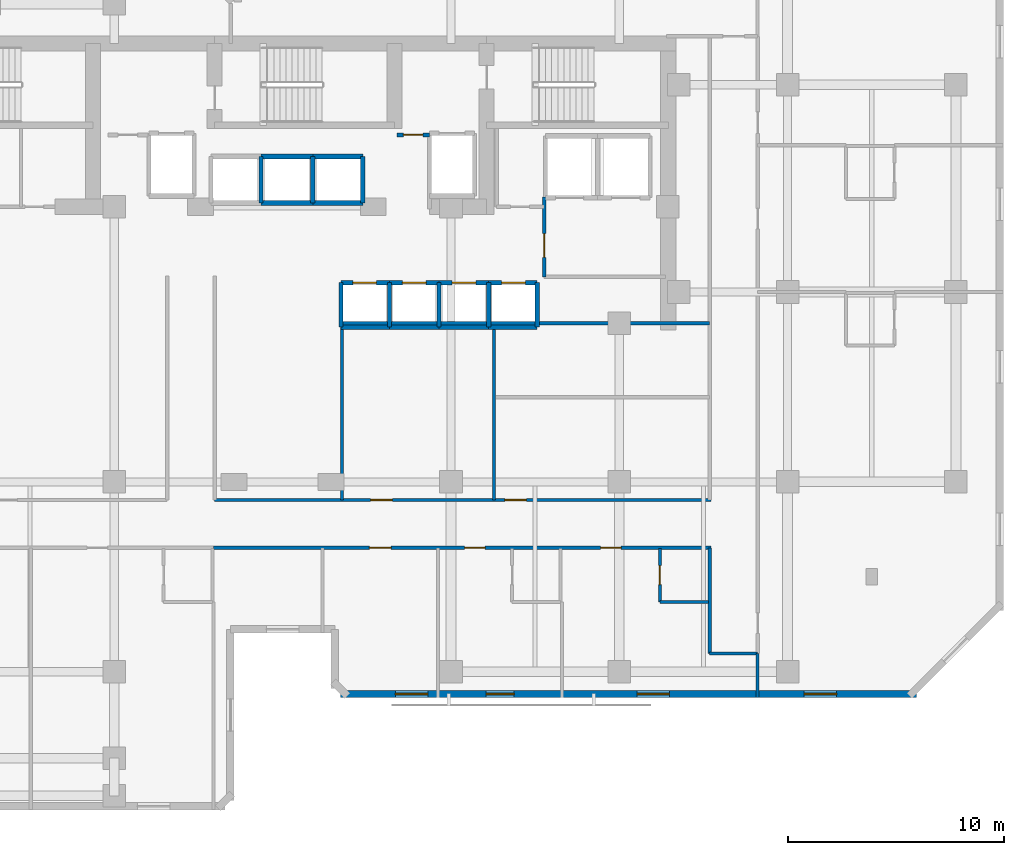
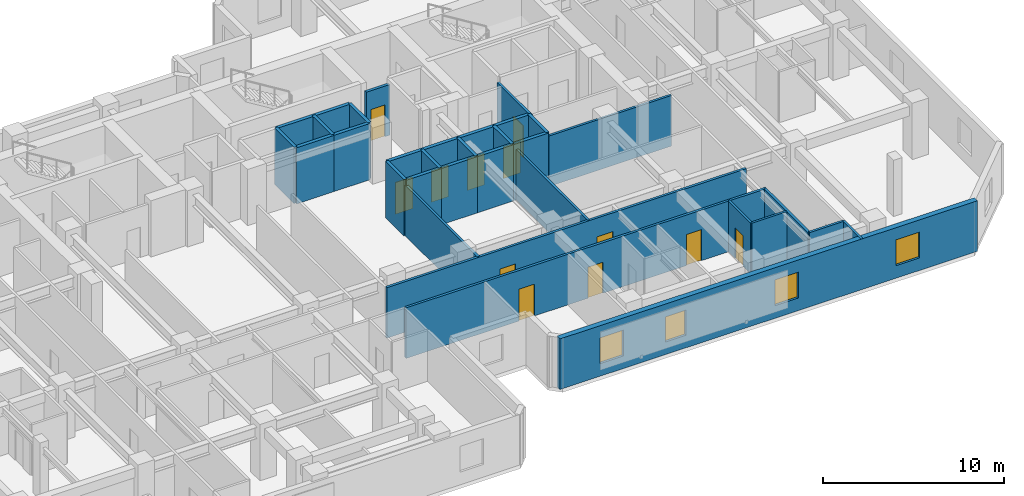
# One storey, part 6 of 11: 33 walls, 12 doors, 4 windows, 16 openings.
"""IFC4 building model written with IfcOpenShell, lengths in metres."""

from ifc_helpers import new_model, si_unit, direction, frame, frame_2d, origin, place, context, subcontext, project, spatial, rectangle, extrude, material, layer, layer_set, type_object, element, fill, save


model = new_model("IFC4")

# Units and contexts
model_context = context("Model", 3, precision=1e-05, world=origin(), true_north=direction((0.0, 1.0)))
body_context = subcontext(model_context, "Body", "Model", "MODEL_VIEW")
ifc_project = project(units=[si_unit("LENGTHUNIT", "METRE"), si_unit("AREAUNIT", "SQUARE_METRE"), si_unit("VOLUMEUNIT", "CUBIC_METRE"), si_unit("PLANEANGLEUNIT", "RADIAN"), si_unit("MASSUNIT", "GRAM", prefix="KILO")], contexts=[model_context])

# Site, building, storey
site_placement = place(None, origin())
site = spatial("IfcSite", under=ifc_project, at=site_placement, CompositionType="ELEMENT")
building_placement = place(site_placement, origin())
building = spatial("IfcBuilding", under=site, at=building_placement, Name="Kestravale Grand Hotel", CompositionType="ELEMENT")
storey_placement = place(building_placement, frame((0.0, 0.0, 180.199951171875)))
storey = spatial("IfcBuildingStorey", under=building, at=storey_placement, Name="L45", CompositionType="ELEMENT", Elevation=180.199951171875)

# Wall, openings, windows
ifc_material_1 = material(Name="Precast concrete f'c 45 MPa", Category="concrete")
ifc_layer_1 = layer(ifc_material_1, 0.340087890625)
ifc_layer_set_1 = layer_set([ifc_layer_1], Name="EW-PREC-340")
wall_type_1 = type_object("IfcWallType", Name="EW-PREC-340", PredefinedType="SOLIDWALL", material=ifc_layer_set_1)
wall_1_placement = place(storey_placement, frame((41.679931640625, 10.169921875, 0.0), z_axis=(0.0, 0.0, 1.0), x_axis=(1.0, 0.0, 0.0)))
wall_1 = element("IfcWall", 1, at=wall_1_placement, inside=storey, type_object=wall_type_1, Name="L45 fluted precast facade wall 7", PredefinedType="SOLIDWALL", context=body_context, shape_type="SweptSolid", body=[
    extrude(rectangle(XDim=26.690185546875, YDim=0.340087890625, at=frame_2d((13.34521484375, 0.0))), origin(), (0.0, 0.0, 1.0), 3.420166015625),
])
opening_1_placement = place(wall_1_placement, frame((2.54833984375, 0.0, 0.85009765625)))
opening_1 = element("IfcOpeningElement", 2, at=opening_1_placement, cuts=wall_1, Name="Opening W-GUEST-1500", PredefinedType="OPENING", context=body_context, shape_type="SweptSolid", body=[
    extrude(rectangle(XDim=1.5, YDim=1.75, at=frame_2d((0.75, 0.875))), frame((0.0, 0.179931640625, 0.0), z_axis=(0.0, -1.0, 0.0), x_axis=(1.0, 0.0, 0.0)), (0.0, 0.0, 1.0), 0.360107421875),
])
opening_2_placement = place(wall_1_placement, frame((13.7451171875, 0.0, 0.85009765625)))
opening_2 = element("IfcOpeningElement", 3, at=opening_2_placement, cuts=wall_1, Name="Opening W-GUEST-1500", PredefinedType="OPENING", context=body_context, shape_type="SweptSolid", body=[
    extrude(rectangle(XDim=1.5, YDim=1.75, at=frame_2d((0.75, 0.875))), frame((0.0, 0.179931640625, 0.0), z_axis=(0.0, -1.0, 0.0), x_axis=(1.0, 0.0, 0.0)), (0.0, 0.0, 1.0), 0.360107421875),
])
opening_3_placement = place(wall_1_placement, frame((21.49169921875, 0.0, 0.85009765625)))
opening_3 = element("IfcOpeningElement", 4, at=opening_3_placement, cuts=wall_1, Name="Opening W-GUEST-1500", PredefinedType="OPENING", context=body_context, shape_type="SweptSolid", body=[
    extrude(rectangle(XDim=1.5, YDim=1.75, at=frame_2d((0.75, 0.875))), frame((0.0, 0.179931640625, 0.0), z_axis=(0.0, -1.0, 0.0), x_axis=(1.0, 0.0, 0.0)), (0.0, 0.0, 1.0), 0.360107421875),
])
opening_4_placement = place(wall_1_placement, frame((6.748779296875, 0.0, 0.85009765625)))
opening_4 = element("IfcOpeningElement", 5, at=opening_4_placement, cuts=wall_1, Name="Opening W-GUEST-1300", PredefinedType="OPENING", context=body_context, shape_type="SweptSolid", body=[
    extrude(rectangle(XDim=1.300048828125, YDim=1.699951171875, at=frame_2d((0.64990234375, 0.85009765625))), frame((0.0, 0.179931640625, 0.0), z_axis=(0.0, -1.0, 0.0), x_axis=(1.0, 0.0, 0.0)), (0.0, 0.0, 1.0), 0.360107421875),
])
ifc_material_2 = material(Name="Insulated low-E double glazing in aluminium frame", Category="aluminium")
window_type_1 = type_object("IfcWindowType", Name="W-GUEST-1300", PartitioningType="SINGLE_PANEL", PredefinedType="WINDOW", material=ifc_material_2)
window_1_placement = place(opening_4_placement, origin())
window_1 = element("IfcWindow", 6, at=window_1_placement, inside=storey, type_object=window_type_1, Name="L45 guestroom envelope window 1", OverallHeight=1.699951171875, OverallWidth=1.300048828125, PartitioningType="SINGLE_PANEL", PredefinedType="WINDOW", context=body_context, shape_type="SweptSolid", body=[
    extrude(rectangle(XDim=1.300048828125, YDim=1.699951171875, at=frame_2d((0.64990234375, 0.85009765625))), frame((0.0, 0.030029296875, 0.0), z_axis=(0.0, -1.0, 0.0), x_axis=(1.0, 0.0, 0.0)), (0.0, 0.0, 1.0), 0.06005859375),
])
fill(opening_4, window_1)
ifc_material_3 = material(Name="Insulated low-E double glazing in aluminium frame", Category="aluminium")
window_type_2 = type_object("IfcWindowType", Name="W-GUEST-1500", PartitioningType="SINGLE_PANEL", PredefinedType="WINDOW", material=ifc_material_3)
window_2_placement = place(opening_1_placement, origin())
window_2 = element("IfcWindow", 7, at=window_2_placement, inside=storey, type_object=window_type_2, Name="L45 exterior window 7.1", OverallHeight=1.75, OverallWidth=1.5, PartitioningType="SINGLE_PANEL", PredefinedType="WINDOW", context=body_context, shape_type="SweptSolid", body=[
    extrude(rectangle(XDim=1.5, YDim=1.75, at=frame_2d((0.75, 0.875))), frame((0.0, 0.030029296875, 0.0), z_axis=(0.0, -1.0, 0.0), x_axis=(1.0, 0.0, 0.0)), (0.0, 0.0, 1.0), 0.06005859375),
])
fill(opening_1, window_2)
window_3_placement = place(opening_2_placement, origin())
window_3 = element("IfcWindow", 8, at=window_3_placement, inside=storey, type_object=window_type_2, Name="L45 exterior window 7.2", OverallHeight=1.75, OverallWidth=1.5, PartitioningType="SINGLE_PANEL", PredefinedType="WINDOW", context=body_context, shape_type="SweptSolid", body=[
    extrude(rectangle(XDim=1.5, YDim=1.75, at=frame_2d((0.75, 0.875))), frame((0.0, 0.030029296875, 0.0), z_axis=(0.0, -1.0, 0.0), x_axis=(1.0, 0.0, 0.0)), (0.0, 0.0, 1.0), 0.06005859375),
])
fill(opening_2, window_3)
window_4_placement = place(opening_3_placement, origin())
window_4 = element("IfcWindow", 9, at=window_4_placement, inside=storey, type_object=window_type_2, Name="L45 exterior window 7.3", OverallHeight=1.75, OverallWidth=1.5, PartitioningType="SINGLE_PANEL", PredefinedType="WINDOW", context=body_context, shape_type="SweptSolid", body=[
    extrude(rectangle(XDim=1.5, YDim=1.75, at=frame_2d((0.75, 0.875))), frame((0.0, 0.030029296875, 0.0), z_axis=(0.0, -1.0, 0.0), x_axis=(1.0, 0.0, 0.0)), (0.0, 0.0, 1.0), 0.06005859375),
])
fill(opening_3, window_4)

# Wall, opening, door
ifc_material_4 = material(Name="Acoustic fire-rated gypsum board partition", Category="other")
ifc_layer_2 = layer(ifc_material_4, 0.159912109375)
ifc_layer_set_2 = layer_set([ifc_layer_2], Name="IW-CORR-160")
wall_type_2 = type_object("IfcWallType", Name="IW-CORR-160", PredefinedType="PARTITIONING", material=ifc_layer_set_2)
wall_2_placement = place(storey_placement, frame((51.1201171875, 29.5, 0.0), z_axis=(0.0, 0.0, 1.0), x_axis=(0.0, 1.0, 0.0)))
wall_2 = element("IfcWall", 10, at=wall_2_placement, inside=storey, type_object=wall_type_2, Name="W-L45-SVCLOB-W", PredefinedType="PARTITIONING", context=body_context, shape_type="SweptSolid", body=[
    extrude(rectangle(XDim=3.699951171875, YDim=0.159912109375, at=frame_2d((1.85009765625, 0.0))), origin(), (0.0, 0.0, 1.0), 3.420166015625),
])
opening_5_placement = place(wall_2_placement, frame((0.89990234375, 0.0, 0.0)))
opening_5 = element("IfcOpeningElement", 11, at=opening_5_placement, cuts=wall_2, Name="Opening D-CORR-1100", PredefinedType="OPENING", context=body_context, shape_type="SweptSolid", body=[
    extrude(rectangle(XDim=1.10009765625, YDim=2.14990234375, at=frame_2d((0.550048828125, 1.074951171875))), frame((0.0, 0.08984375, 0.0), z_axis=(0.0, -1.0, 0.0), x_axis=(1.0, 0.0, 0.0)), (0.0, 0.0, 1.0), 0.179931640625),
])
ifc_material_5 = material(Name="Single-leaf service vestibule fire door", Category="steel")
door_type_1 = type_object("IfcDoorType", Name="D-CORR-1100", OperationType="NOTDEFINED", PredefinedType="DOOR", material=ifc_material_5)
door_1_placement = place(opening_5_placement, origin())
door_1 = element("IfcDoor", 12, at=door_1_placement, inside=storey, type_object=door_type_1, Name="L45 service lift lobby door", OperationType="SINGLE_SWING_LEFT", OverallHeight=2.14990234375, OverallWidth=1.10009765625, PredefinedType="DOOR", context=body_context, shape_type="SweptSolid", body=[
    extrude(rectangle(XDim=1.10009765625, YDim=2.14990234375, at=frame_2d((0.550048828125, 1.074951171875))), frame((0.0, 0.02490234375, 0.0), z_axis=(0.0, -1.0, 0.0), x_axis=(1.0, 0.0, 0.0)), (0.0, 0.0, 1.0), 0.050048828125),
])
fill(opening_5, door_1)

# Wall, openings, doors
wall_3_placement = place(storey_placement, frame((35.85009765625, 19.159912109375, 0.0), z_axis=(0.0, 0.0, 1.0), x_axis=(1.0, 0.0, 0.0)))
wall_3 = element("IfcWall", 13, at=wall_3_placement, inside=storey, type_object=wall_type_2, Name="W-L45-CE-N", PredefinedType="PARTITIONING", context=body_context, shape_type="SweptSolid", body=[
    extrude(rectangle(XDim=23.0, YDim=0.159912109375, at=frame_2d((11.5, 0.0))), origin(), (0.0, 0.0, 1.0), 3.420166015625),
])
opening_6_placement = place(wall_3_placement, frame((7.231201171875, 0.0, 0.0)))
opening_6 = element("IfcOpeningElement", 14, at=opening_6_placement, cuts=wall_3, Name="Opening D-GUEST-1000", PredefinedType="OPENING", context=body_context, shape_type="SweptSolid", body=[
    extrude(rectangle(XDim=1.0, YDim=2.14990234375, at=frame_2d((0.5, 1.074951171875))), frame((0.0, 0.08984375, 0.0), z_axis=(0.0, -1.0, 0.0), x_axis=(1.0, 0.0, 0.0)), (0.0, 0.0, 1.0), 0.179931640625),
])
opening_7_placement = place(wall_3_placement, frame((13.449951171875, 0.0, 0.0)))
opening_7 = element("IfcOpeningElement", 15, at=opening_7_placement, cuts=wall_3, Name="Opening D-GUEST-1000", PredefinedType="OPENING", context=body_context, shape_type="SweptSolid", body=[
    extrude(rectangle(XDim=1.0, YDim=2.14990234375, at=frame_2d((0.5, 1.074951171875))), frame((0.0, 0.08984375, 0.0), z_axis=(0.0, -1.0, 0.0), x_axis=(1.0, 0.0, 0.0)), (0.0, 0.0, 1.0), 0.179931640625),
])
ifc_material_6 = material(Name="Accessible walnut veneer hotel entrance fire door", Category="wood")
door_type_2 = type_object("IfcDoorType", Name="D-GUEST-1000", OperationType="NOTDEFINED", PredefinedType="DOOR", material=ifc_material_6)
door_2_placement = place(opening_6_placement, origin())
door_2 = element("IfcDoor", 16, at=door_2_placement, inside=storey, type_object=door_type_2, Name="D-L45-RECL-E1", OperationType="SINGLE_SWING_LEFT", OverallHeight=2.14990234375, OverallWidth=1.0, PredefinedType="DOOR", context=body_context, shape_type="SweptSolid", body=[
    extrude(rectangle(XDim=1.0, YDim=2.14990234375, at=frame_2d((0.5, 1.074951171875))), frame((0.0, 0.02490234375, 0.0), z_axis=(0.0, -1.0, 0.0), x_axis=(1.0, 0.0, 0.0)), (0.0, 0.0, 1.0), 0.050048828125),
])
fill(opening_6, door_2)
door_3_placement = place(opening_7_placement, origin())
door_3 = element("IfcDoor", 17, at=door_3_placement, inside=storey, type_object=door_type_2, Name="D-L45-RECL-E2", OperationType="SINGLE_SWING_RIGHT", OverallHeight=2.14990234375, OverallWidth=1.0, PredefinedType="DOOR", context=body_context, shape_type="SweptSolid", body=[
    extrude(rectangle(XDim=1.0, YDim=2.14990234375, at=frame_2d((0.5, 1.074951171875))), frame((0.0, 0.02490234375, 0.0), z_axis=(0.0, -1.0, 0.0), x_axis=(1.0, 0.0, 0.0)), (0.0, 0.0, 1.0), 0.050048828125),
])
fill(opening_7, door_3)

wall_4_placement = place(storey_placement, frame((35.800048828125, 16.93994140625, 0.0), z_axis=(0.0, 0.0, 1.0), x_axis=(1.0, 0.0, 0.0)))
wall_4 = element("IfcWall", 18, at=wall_4_placement, inside=storey, type_object=wall_type_2, Name="W-L45-CE-S", PredefinedType="PARTITIONING", context=body_context, shape_type="SweptSolid", body=[
    extrude(rectangle(XDim=23.050048828125, YDim=0.159912109375, at=frame_2d((11.52490234375, 0.0))), origin(), (0.0, 0.0, 1.0), 3.420166015625),
])
opening_8_placement = place(wall_4_placement, frame((7.222412109375, 0.0, 0.0)))
opening_8 = element("IfcOpeningElement", 19, at=opening_8_placement, cuts=wall_4, Name="Opening D-GUEST-1000", PredefinedType="OPENING", context=body_context, shape_type="SweptSolid", body=[
    extrude(rectangle(XDim=1.0, YDim=2.14990234375, at=frame_2d((0.5, 1.074951171875))), frame((0.0, 0.08984375, 0.0), z_axis=(0.0, -1.0, 0.0), x_axis=(1.0, 0.0, 0.0)), (0.0, 0.0, 1.0), 0.179931640625),
])
opening_9_placement = place(wall_4_placement, frame((11.638916015625, 0.0, 0.0)))
opening_9 = element("IfcOpeningElement", 20, at=opening_9_placement, cuts=wall_4, Name="Opening D-GUEST-950", PredefinedType="OPENING", context=body_context, shape_type="SweptSolid", body=[
    extrude(rectangle(XDim=0.949951171875, YDim=2.10009765625, at=frame_2d((0.47509765625, 1.050048828125))), frame((0.0, 0.08984375, 0.0), z_axis=(0.0, -1.0, 0.0), x_axis=(1.0, 0.0, 0.0)), (0.0, 0.0, 1.0), 0.179931640625),
])
opening_10_placement = place(wall_4_placement, frame((17.936279296875, 0.0, 0.0)))
opening_10 = element("IfcOpeningElement", 21, at=opening_10_placement, cuts=wall_4, Name="Opening D-GUEST-950", PredefinedType="OPENING", context=body_context, shape_type="SweptSolid", body=[
    extrude(rectangle(XDim=0.949951171875, YDim=2.10009765625, at=frame_2d((0.47509765625, 1.050048828125))), frame((0.0, 0.08984375, 0.0), z_axis=(0.0, -1.0, 0.0), x_axis=(1.0, 0.0, 0.0)), (0.0, 0.0, 1.0), 0.179931640625),
])
door_4_placement = place(opening_8_placement, origin())
door_4 = element("IfcDoor", 22, at=door_4_placement, inside=storey, type_object=door_type_2, Name="D-L45-AME", OperationType="SINGLE_SWING_RIGHT", OverallHeight=2.14990234375, OverallWidth=1.0, PredefinedType="DOOR", context=body_context, shape_type="SweptSolid", body=[
    extrude(rectangle(XDim=1.0, YDim=2.14990234375, at=frame_2d((0.5, 1.074951171875))), frame((0.0, 0.02490234375, 0.0), z_axis=(0.0, -1.0, 0.0), x_axis=(1.0, 0.0, 0.0)), (0.0, 0.0, 1.0), 0.050048828125),
])
fill(opening_8, door_4)
ifc_material_7 = material(Name="Walnut veneer hotel guestroom entrance fire door", Category="wood")
door_type_3 = type_object("IfcDoorType", Name="D-GUEST-950", OperationType="NOTDEFINED", PredefinedType="DOOR", material=ifc_material_7)
door_5_placement = place(opening_9_placement, origin())
door_5 = element("IfcDoor", 23, at=door_5_placement, inside=storey, type_object=door_type_3, Name="D-L45-U02-ENT", OperationType="SINGLE_SWING_RIGHT", OverallHeight=2.10009765625, OverallWidth=0.949951171875, PredefinedType="DOOR", context=body_context, shape_type="SweptSolid", body=[
    extrude(rectangle(XDim=0.949951171875, YDim=2.10009765625, at=frame_2d((0.47509765625, 1.050048828125))), frame((0.0, 0.02490234375, 0.0), z_axis=(0.0, -1.0, 0.0), x_axis=(1.0, 0.0, 0.0)), (0.0, 0.0, 1.0), 0.050048828125),
])
fill(opening_9, door_5)
door_6_placement = place(opening_10_placement, origin())
door_6 = element("IfcDoor", 24, at=door_6_placement, inside=storey, type_object=door_type_3, Name="D-L45-U03-ENT", OperationType="SINGLE_SWING_RIGHT", OverallHeight=2.10009765625, OverallWidth=0.949951171875, PredefinedType="DOOR", context=body_context, shape_type="SweptSolid", body=[
    extrude(rectangle(XDim=0.949951171875, YDim=2.10009765625, at=frame_2d((0.47509765625, 1.050048828125))), frame((0.0, 0.02490234375, 0.0), z_axis=(0.0, -1.0, 0.0), x_axis=(1.0, 0.0, 0.0)), (0.0, 0.0, 1.0), 0.050048828125),
])
fill(opening_10, door_6)

# Wall
wall_5_placement = place(storey_placement, frame((58.7900390625, 12.050048828125, 0.0), z_axis=(0.0, 0.0, 1.0), x_axis=(0.0, 1.0, 0.0)))
element("IfcWall", 25, at=wall_5_placement, inside=storey, type_object=wall_type_2, Name="W-L45-SE-W", PredefinedType="PARTITIONING", context=body_context, shape_type="SweptSolid", body=[
    extrude(rectangle(XDim=4.889892578125, YDim=0.159912109375, at=frame_2d((2.44482421875, 0.0))), origin(), (0.0, 0.0, 1.0), 3.420166015625),
])

# Wall, opening, door
ifc_material_8 = material(Name="Fire-rated gypsum board on steel studs with mineral wool", Category="steel")
ifc_layer_3 = layer(ifc_material_8, 0.179931640625)
ifc_layer_set_3 = layer_set([ifc_layer_3], Name="IW-FSAE-180")
wall_type_3 = type_object("IfcWallType", Name="IW-FSAE-180", PredefinedType="PARTITIONING", material=ifc_layer_set_3)
wall_6_placement = place(storey_placement, frame((44.300048828125, 36.080078125, 0.0), z_axis=(0.0, 0.0, 1.0), x_axis=(1.0, 0.0, 0.0)))
wall_6 = element("IfcWall", 26, at=wall_6_placement, inside=storey, type_object=wall_type_3, Name="L45 FSAE Lobby 2 smoke barrier", PredefinedType="PARTITIONING", context=body_context, shape_type="SweptSolid", body=[
    extrude(rectangle(XDim=1.5, YDim=0.179931640625, at=frame_2d((0.75, 0.0))), origin(), (0.0, 0.0, 1.0), 3.420166015625),
])
opening_11_placement = place(wall_6_placement, frame((0.300048828125, 0.0, 0.0)))
opening_11 = element("IfcOpeningElement", 27, at=opening_11_placement, cuts=wall_6, Name="Opening D-FSAE-1000", PredefinedType="OPENING", context=body_context, shape_type="SweptSolid", body=[
    extrude(rectangle(XDim=0.89990234375, YDim=2.14990234375, at=frame_2d((0.449951171875, 1.074951171875))), frame((0.0, 0.099853515625, 0.0), z_axis=(0.0, -1.0, 0.0), x_axis=(1.0, 0.0, 0.0)), (0.0, 0.0, 1.0), 0.199951171875),
])
ifc_material_9 = material(Name="Smoke-gasketed FSAE lobby fire door", Category="steel")
door_type_4 = type_object("IfcDoorType", Name="D-FSAE-1000", OperationType="NOTDEFINED", PredefinedType="DOOR", material=ifc_material_9)
door_7_placement = place(opening_11_placement, origin())
door_7 = element("IfcDoor", 28, at=door_7_placement, inside=storey, type_object=door_type_4, Name="L45 FSAE Lobby 2 fire door", OperationType="SINGLE_SWING_LEFT", OverallHeight=2.14990234375, OverallWidth=0.89990234375, PredefinedType="DOOR", context=body_context, shape_type="SweptSolid", body=[
    extrude(rectangle(XDim=0.89990234375, YDim=2.14990234375, at=frame_2d((0.449951171875, 1.074951171875))), frame((0.0, 0.02490234375, 0.0), z_axis=(0.0, -1.0, 0.0), x_axis=(1.0, 0.0, 0.0)), (0.0, 0.0, 1.0), 0.050048828125),
])
fill(opening_11, door_7)

ifc_material_10 = material(Name="Moisture-resistant tile-backer plumbing chase wall", Category="other")
ifc_layer_4 = layer(ifc_material_10, 0.139892578125)
ifc_layer_set_4 = layer_set([ifc_layer_4], Name="IW-PLB-140")
wall_type_4 = type_object("IfcWallType", Name="IW-PLB-140", PredefinedType="PLUMBINGWALL", material=ifc_layer_set_4)
wall_7_placement = place(storey_placement, frame((56.47998046875, 14.429931640625, 0.0), z_axis=(0.0, 0.0, 1.0), x_axis=(0.0, 1.0, 0.0)))
wall_7 = element("IfcWall", 29, at=wall_7_placement, inside=storey, type_object=wall_type_4, Name="W-L45-U03-BW", PredefinedType="PLUMBINGWALL", context=body_context, shape_type="SweptSolid", body=[
    extrude(rectangle(XDim=2.489990234375, YDim=0.139892578125, at=frame_2d((1.2451171875, 0.0))), origin(), (0.0, 0.0, 1.0), 3.420166015625),
])
opening_12_placement = place(wall_7_placement, frame((0.804931640625, 0.0, 0.0)))
opening_12 = element("IfcOpeningElement", 30, at=opening_12_placement, cuts=wall_7, Name="Opening D-BATH-880", PredefinedType="OPENING", context=body_context, shape_type="SweptSolid", body=[
    extrude(rectangle(XDim=0.8798828125, YDim=2.050048828125, at=frame_2d((0.43994140625, 1.02490234375))), frame((0.0, 0.079833984375, 0.0), z_axis=(0.0, -1.0, 0.0), x_axis=(1.0, 0.0, 0.0)), (0.0, 0.0, 1.0), 0.159912109375),
])
ifc_material_11 = material(Name="Moisture-sealed walnut en-suite bathroom door", Category="wood")
door_type_5 = type_object("IfcDoorType", Name="D-BATH-880", OperationType="NOTDEFINED", PredefinedType="DOOR", material=ifc_material_11)
door_8_placement = place(opening_12_placement, origin())
door_8 = element("IfcDoor", 31, at=door_8_placement, inside=storey, type_object=door_type_5, Name="D-L45-U03-BATH", OperationType="SINGLE_SWING_LEFT", OverallHeight=2.050048828125, OverallWidth=0.8798828125, PredefinedType="DOOR", context=body_context, shape_type="SweptSolid", body=[
    extrude(rectangle(XDim=0.8798828125, YDim=2.050048828125, at=frame_2d((0.43994140625, 1.02490234375))), frame((0.0, 0.02490234375, 0.0), z_axis=(0.0, -1.0, 0.0), x_axis=(1.0, 0.0, 0.0)), (0.0, 0.0, 1.0), 0.050048828125),
])
fill(opening_12, door_8)

# Walls
wall_8_placement = place(storey_placement, frame((56.47998046875, 14.429931640625, 0.0), z_axis=(0.0, 0.0, 1.0), x_axis=(1.0, 0.0, 0.0)))
element("IfcWall", 32, at=wall_8_placement, inside=storey, type_object=wall_type_4, Name="W-L45-U03-BS", PredefinedType="PLUMBINGWALL", context=body_context, shape_type="SweptSolid", body=[
    extrude(rectangle(XDim=2.25, YDim=0.139892578125, at=frame_2d((1.125, 0.0))), origin(), (0.0, 0.0, 1.0), 3.420166015625),
])
ifc_material_12 = material(Name="Concrete f'c 45 MPa", Category="concrete")
ifc_layer_5 = layer(ifc_material_12, 0.199951171875)
ifc_layer_set_5 = layer_set([ifc_layer_5], Name="IW-SHAFT-200")
wall_type_5 = type_object("IfcWallType", Name="IW-SHAFT-200", PredefinedType="SHEAR", material=ifc_layer_set_5)
for number, where, z_axis, x_axis, name in (
    (33, (41.705078125, 27.169921875, 0.0), (0.0, 0.0, 1.0), (0.0, 1.0, 0.0), "L45 PL-M1 west shaft wall"),
    (34, (43.949951171875, 27.169921875, 0.0), (0.0, 0.0, 1.0), (0.0, 1.0, 0.0), "L45 PL-M2 west shaft wall"),
    (35, (46.25, 27.169921875, 0.0), (0.0, 0.0, 1.0), (0.0, 1.0, 0.0), "L45 PL-M3 west shaft wall"),
    (36, (48.550048828125, 27.169921875, 0.0), (0.0, 0.0, 1.0), (0.0, 1.0, 0.0), "L45 PL-M4 west shaft wall"),
    (37, (50.794921875, 27.169921875, 0.0), (0.0, 0.0, 1.0), (0.0, 1.0, 0.0), "L45 PL-M4 east shaft wall"),
):
    element("IfcWall", number, at=place(storey_placement, frame(where, z_axis=z_axis, x_axis=x_axis)), inside=storey, type_object=wall_type_5, Name=name, PredefinedType="SHEAR", context=body_context, shape_type="SweptSolid", body=[
        extrude(rectangle(XDim=2.06005859375, YDim=0.199951171875, at=frame_2d((1.030029296875, 0.0))), origin(), (0.0, 0.0, 1.0), 3.800048828125),
    ])
for number, where, z_axis, x_axis, name in (
    (38, (38.0, 32.919921875, 0.0), (0.0, 0.0, 1.0), (0.0, 1.0, 0.0), "L45 PL-X2 west shaft wall"),
    (39, (40.39990234375, 32.919921875, 0.0), (0.0, 0.0, 1.0), (0.0, 1.0, 0.0), "L45 PL-X3 west shaft wall"),
    (40, (42.719970703125, 32.919921875, 0.0), (0.0, 0.0, 1.0), (0.0, 1.0, 0.0), "L45 PL-X3 east shaft wall"),
):
    element("IfcWall", number, at=place(storey_placement, frame(where, z_axis=z_axis, x_axis=x_axis)), inside=storey, type_object=wall_type_5, Name=name, PredefinedType="SHEAR", context=body_context, shape_type="SweptSolid", body=[
        extrude(rectangle(XDim=2.16015625, YDim=0.199951171875, at=frame_2d((1.080078125, 0.0))), origin(), (0.0, 0.0, 1.0), 3.800048828125),
    ])

# Wall, opening, door
ifc_material_13 = material(Name="Concrete f'c 45 MPa", Category="concrete")
ifc_layer_6 = layer(ifc_material_13, 0.219970703125)
ifc_layer_set_6 = layer_set([ifc_layer_6], Name="IW-SHAFT-220")
wall_type_6 = type_object("IfcWallType", Name="IW-SHAFT-220", PredefinedType="SHEAR", material=ifc_layer_set_6)
wall_9_placement = place(storey_placement, frame((41.705078125, 29.22998046875, 0.0), z_axis=(0.0, 0.0, 1.0), x_axis=(1.0, 0.0, 0.0)))
wall_9 = element("IfcWall", 41, at=wall_9_placement, inside=storey, type_object=wall_type_6, Name="L45 PL-M1 north shaft wall", PredefinedType="SHEAR", context=body_context, shape_type="SweptSolid", body=[
    extrude(rectangle(XDim=2.244873046875, YDim=0.219970703125, at=frame_2d((1.12255859375, 0.0))), origin(), (0.0, 0.0, 1.0), 3.800048828125),
])
opening_13_placement = place(wall_9_placement, frame((0.544921875, 0.0, 0.0)))
opening_13 = element("IfcOpeningElement", 42, at=opening_13_placement, cuts=wall_9, Name="Opening LD-PAX-1100", PredefinedType="OPENING", context=body_context, shape_type="SweptSolid", body=[
    extrude(rectangle(XDim=1.10009765625, YDim=2.14990234375, at=frame_2d((0.550048828125, 1.074951171875))), frame((0.0, 0.119873046875, 0.0), z_axis=(0.0, -1.0, 0.0), x_axis=(1.0, 0.0, 0.0)), (0.0, 0.0, 1.0), 0.239990234375),
])
ifc_material_14 = material(Name="Champagne-bronze center-opening sliding elevator landing door", Category="steel")
door_type_6 = type_object("IfcDoorType", Name="LD-PAX-1100", OperationType="NOTDEFINED", PredefinedType="DOOR", material=ifc_material_14)
door_9_placement = place(opening_13_placement, origin())
door_9 = element("IfcDoor", 43, at=door_9_placement, inside=storey, type_object=door_type_6, Name="L45 PL-M1 elevator landing sliding door", OperationType="DOUBLE_DOOR_SLIDING", OverallHeight=2.14990234375, OverallWidth=1.10009765625, PredefinedType="DOOR", context=body_context, shape_type="SweptSolid", body=[
    extrude(rectangle(XDim=1.10009765625, YDim=2.14990234375, at=frame_2d((0.550048828125, 1.074951171875))), frame((0.0, 0.02490234375, 0.0), z_axis=(0.0, -1.0, 0.0), x_axis=(1.0, 0.0, 0.0)), (0.0, 0.0, 1.0), 0.050048828125),
])
fill(opening_13, door_9)

# Wall
wall_10_placement = place(storey_placement, frame((41.705078125, 27.169921875, 0.0), z_axis=(0.0, 0.0, 1.0), x_axis=(1.0, 0.0, 0.0)))
element("IfcWall", 44, at=wall_10_placement, inside=storey, type_object=wall_type_6, Name="L45 PL-M1 south shaft wall", PredefinedType="SHEAR", context=body_context, shape_type="SweptSolid", body=[
    extrude(rectangle(XDim=2.244873046875, YDim=0.219970703125, at=frame_2d((1.12255859375, 0.0))), origin(), (0.0, 0.0, 1.0), 3.800048828125),
])

# Wall, opening, door
wall_11_placement = place(storey_placement, frame((43.949951171875, 29.22998046875, 0.0), z_axis=(0.0, 0.0, 1.0), x_axis=(1.0, 0.0, 0.0)))
wall_11 = element("IfcWall", 45, at=wall_11_placement, inside=storey, type_object=wall_type_6, Name="L45 PL-M2 north shaft wall", PredefinedType="SHEAR", context=body_context, shape_type="SweptSolid", body=[
    extrude(rectangle(XDim=2.300048828125, YDim=0.219970703125, at=frame_2d((1.14990234375, 0.0))), origin(), (0.0, 0.0, 1.0), 3.800048828125),
])
opening_14_placement = place(wall_11_placement, frame((0.60009765625, 0.0, 0.0)))
opening_14 = element("IfcOpeningElement", 46, at=opening_14_placement, cuts=wall_11, Name="Opening LD-PAX-1100", PredefinedType="OPENING", context=body_context, shape_type="SweptSolid", body=[
    extrude(rectangle(XDim=1.10009765625, YDim=2.14990234375, at=frame_2d((0.550048828125, 1.074951171875))), frame((0.0, 0.119873046875, 0.0), z_axis=(0.0, -1.0, 0.0), x_axis=(1.0, 0.0, 0.0)), (0.0, 0.0, 1.0), 0.239990234375),
])
door_10_placement = place(opening_14_placement, origin())
door_10 = element("IfcDoor", 47, at=door_10_placement, inside=storey, type_object=door_type_6, Name="L45 PL-M2 elevator landing sliding door", OperationType="DOUBLE_DOOR_SLIDING", OverallHeight=2.14990234375, OverallWidth=1.10009765625, PredefinedType="DOOR", context=body_context, shape_type="SweptSolid", body=[
    extrude(rectangle(XDim=1.10009765625, YDim=2.14990234375, at=frame_2d((0.550048828125, 1.074951171875))), frame((0.0, 0.02490234375, 0.0), z_axis=(0.0, -1.0, 0.0), x_axis=(1.0, 0.0, 0.0)), (0.0, 0.0, 1.0), 0.050048828125),
])
fill(opening_14, door_10)

# Wall
wall_12_placement = place(storey_placement, frame((43.949951171875, 27.169921875, 0.0), z_axis=(0.0, 0.0, 1.0), x_axis=(1.0, 0.0, 0.0)))
element("IfcWall", 48, at=wall_12_placement, inside=storey, type_object=wall_type_6, Name="L45 PL-M2 south shaft wall", PredefinedType="SHEAR", context=body_context, shape_type="SweptSolid", body=[
    extrude(rectangle(XDim=2.300048828125, YDim=0.219970703125, at=frame_2d((1.14990234375, 0.0))), origin(), (0.0, 0.0, 1.0), 3.800048828125),
])

# Wall, opening, door
wall_13_placement = place(storey_placement, frame((46.25, 29.22998046875, 0.0), z_axis=(0.0, 0.0, 1.0), x_axis=(1.0, 0.0, 0.0)))
wall_13 = element("IfcWall", 49, at=wall_13_placement, inside=storey, type_object=wall_type_6, Name="L45 PL-M3 north shaft wall", PredefinedType="SHEAR", context=body_context, shape_type="SweptSolid", body=[
    extrude(rectangle(XDim=2.300048828125, YDim=0.219970703125, at=frame_2d((1.14990234375, 0.0))), origin(), (0.0, 0.0, 1.0), 3.800048828125),
])
opening_15_placement = place(wall_13_placement, frame((0.60009765625, 0.0, 0.0)))
opening_15 = element("IfcOpeningElement", 50, at=opening_15_placement, cuts=wall_13, Name="Opening LD-PAX-1100", PredefinedType="OPENING", context=body_context, shape_type="SweptSolid", body=[
    extrude(rectangle(XDim=1.10009765625, YDim=2.14990234375, at=frame_2d((0.550048828125, 1.074951171875))), frame((0.0, 0.119873046875, 0.0), z_axis=(0.0, -1.0, 0.0), x_axis=(1.0, 0.0, 0.0)), (0.0, 0.0, 1.0), 0.239990234375),
])
door_11_placement = place(opening_15_placement, origin())
door_11 = element("IfcDoor", 51, at=door_11_placement, inside=storey, type_object=door_type_6, Name="L45 PL-M3 elevator landing sliding door", OperationType="DOUBLE_DOOR_SLIDING", OverallHeight=2.14990234375, OverallWidth=1.10009765625, PredefinedType="DOOR", context=body_context, shape_type="SweptSolid", body=[
    extrude(rectangle(XDim=1.10009765625, YDim=2.14990234375, at=frame_2d((0.550048828125, 1.074951171875))), frame((0.0, 0.02490234375, 0.0), z_axis=(0.0, -1.0, 0.0), x_axis=(1.0, 0.0, 0.0)), (0.0, 0.0, 1.0), 0.050048828125),
])
fill(opening_15, door_11)

# Wall
wall_14_placement = place(storey_placement, frame((46.25, 27.169921875, 0.0), z_axis=(0.0, 0.0, 1.0), x_axis=(1.0, 0.0, 0.0)))
element("IfcWall", 52, at=wall_14_placement, inside=storey, type_object=wall_type_6, Name="L45 PL-M3 south shaft wall", PredefinedType="SHEAR", context=body_context, shape_type="SweptSolid", body=[
    extrude(rectangle(XDim=2.300048828125, YDim=0.219970703125, at=frame_2d((1.14990234375, 0.0))), origin(), (0.0, 0.0, 1.0), 3.800048828125),
])

# Wall, opening, door
wall_15_placement = place(storey_placement, frame((48.550048828125, 29.22998046875, 0.0), z_axis=(0.0, 0.0, 1.0), x_axis=(1.0, 0.0, 0.0)))
wall_15 = element("IfcWall", 53, at=wall_15_placement, inside=storey, type_object=wall_type_6, Name="L45 PL-M4 north shaft wall", PredefinedType="SHEAR", context=body_context, shape_type="SweptSolid", body=[
    extrude(rectangle(XDim=2.244873046875, YDim=0.219970703125, at=frame_2d((1.12255859375, 0.0))), origin(), (0.0, 0.0, 1.0), 3.800048828125),
])
opening_16_placement = place(wall_15_placement, frame((0.60009765625, 0.0, 0.0)))
opening_16 = element("IfcOpeningElement", 54, at=opening_16_placement, cuts=wall_15, Name="Opening LD-PAX-1100", PredefinedType="OPENING", context=body_context, shape_type="SweptSolid", body=[
    extrude(rectangle(XDim=1.10009765625, YDim=2.14990234375, at=frame_2d((0.550048828125, 1.074951171875))), frame((0.0, 0.119873046875, 0.0), z_axis=(0.0, -1.0, 0.0), x_axis=(1.0, 0.0, 0.0)), (0.0, 0.0, 1.0), 0.239990234375),
])
door_12_placement = place(opening_16_placement, origin())
door_12 = element("IfcDoor", 55, at=door_12_placement, inside=storey, type_object=door_type_6, Name="L45 PL-M4 elevator landing sliding door", OperationType="DOUBLE_DOOR_SLIDING", OverallHeight=2.14990234375, OverallWidth=1.10009765625, PredefinedType="DOOR", context=body_context, shape_type="SweptSolid", body=[
    extrude(rectangle(XDim=1.10009765625, YDim=2.14990234375, at=frame_2d((0.550048828125, 1.074951171875))), frame((0.0, 0.02490234375, 0.0), z_axis=(0.0, -1.0, 0.0), x_axis=(1.0, 0.0, 0.0)), (0.0, 0.0, 1.0), 0.050048828125),
])
fill(opening_16, door_12)

# Walls
wall_16_placement = place(storey_placement, frame((48.550048828125, 27.169921875, 0.0), z_axis=(0.0, 0.0, 1.0), x_axis=(1.0, 0.0, 0.0)))
element("IfcWall", 56, at=wall_16_placement, inside=storey, type_object=wall_type_6, Name="L45 PL-M4 south shaft wall", PredefinedType="SHEAR", context=body_context, shape_type="SweptSolid", body=[
    extrude(rectangle(XDim=2.244873046875, YDim=0.219970703125, at=frame_2d((1.12255859375, 0.0))), origin(), (0.0, 0.0, 1.0), 3.800048828125),
])
for number, where, z_axis, x_axis, name in (
    (57, (38.0, 35.080078125, 0.0), (0.0, 0.0, 1.0), (1.0, 0.0, 0.0), "L45 PL-X2 north shaft wall"),
    (58, (38.0, 32.919921875, 0.0), (0.0, 0.0, 1.0), (1.0, 0.0, 0.0), "L45 PL-X2 south shaft wall"),
):
    element("IfcWall", number, at=place(storey_placement, frame(where, z_axis=z_axis, x_axis=x_axis)), inside=storey, type_object=wall_type_6, Name=name, PredefinedType="SHEAR", context=body_context, shape_type="SweptSolid", body=[
        extrude(rectangle(XDim=2.39990234375, YDim=0.219970703125, at=frame_2d((1.199951171875, 0.0))), origin(), (0.0, 0.0, 1.0), 3.800048828125),
    ])
for number, where, z_axis, x_axis, name in (
    (59, (40.39990234375, 35.080078125, 0.0), (0.0, 0.0, 1.0), (1.0, 0.0, 0.0), "L45 PL-X3 north shaft wall"),
    (60, (40.39990234375, 32.919921875, 0.0), (0.0, 0.0, 1.0), (1.0, 0.0, 0.0), "L45 PL-X3 south shaft wall"),
):
    element("IfcWall", number, at=place(storey_placement, frame(where, z_axis=z_axis, x_axis=x_axis)), inside=storey, type_object=wall_type_6, Name=name, PredefinedType="SHEAR", context=body_context, shape_type="SweptSolid", body=[
        extrude(rectangle(XDim=2.320068359375, YDim=0.219970703125, at=frame_2d((1.16015625, 0.0))), origin(), (0.0, 0.0, 1.0), 3.800048828125),
    ])
ifc_material_15 = material(Name="Double-stud STC 52 acoustic demising partition", Category="other")
ifc_layer_7 = layer(ifc_material_15, 0.14990234375)
ifc_layer_set_7 = layer_set([ifc_layer_7], Name="IW-UNIT-150")
wall_type_7 = type_object("IfcWallType", Name="IW-UNIT-150", PredefinedType="PARTITIONING", material=ifc_layer_set_7)
wall_17_placement = place(storey_placement, frame((58.7900390625, 12.050048828125, 0.0), z_axis=(0.0, 0.0, 1.0), x_axis=(1.0, 0.0, 0.0)))
element("IfcWall", 61, at=wall_17_placement, inside=storey, type_object=wall_type_7, Name="W-L45-SE-S", PredefinedType="PARTITIONING", context=body_context, shape_type="SweptSolid", body=[
    extrude(rectangle(XDim=2.219970703125, YDim=0.14990234375, at=frame_2d((1.10986328125, 0.0))), origin(), (0.0, 0.0, 1.0), 3.420166015625),
])
wall_18_placement = place(storey_placement, frame((41.75, 19.159912109375, 0.0), z_axis=(0.0, 0.0, 1.0), x_axis=(0.0, 1.0, 0.0)))
element("IfcWall", 62, at=wall_18_placement, inside=storey, type_object=wall_type_7, Name="W-L45-RCLE-W", PredefinedType="PARTITIONING", context=body_context, shape_type="SweptSolid", body=[
    extrude(rectangle(XDim=8.010009765625, YDim=0.14990234375, at=frame_2d((4.0048828125, 0.0))), origin(), (0.0, 0.0, 1.0), 3.420166015625),
])
wall_19_placement = place(storey_placement, frame((48.800048828125, 19.159912109375, 0.0), z_axis=(0.0, 0.0, 1.0), x_axis=(0.0, 1.0, 0.0)))
element("IfcWall", 63, at=wall_19_placement, inside=storey, type_object=wall_type_7, Name="W-L45-RCLE-M", PredefinedType="PARTITIONING", context=body_context, shape_type="SweptSolid", body=[
    extrude(rectangle(XDim=7.989990234375, YDim=0.14990234375, at=frame_2d((3.9951171875, 0.0))), origin(), (0.0, 0.0, 1.0), 3.420166015625),
])
wall_20_placement = place(storey_placement, frame((41.75, 27.35009765625, 0.0), z_axis=(0.0, 0.0, 1.0), x_axis=(1.0, 0.0, 0.0)))
element("IfcWall", 64, at=wall_20_placement, inside=storey, type_object=wall_type_7, Name="W-L45-RCLE-N", PredefinedType="PARTITIONING", context=body_context, shape_type="SweptSolid", body=[
    extrude(rectangle(XDim=17.0400390625, YDim=0.14990234375, at=frame_2d((8.52001953125, 0.0))), origin(), (0.0, 0.0, 1.0), 3.420166015625),
])
wall_21_placement = place(storey_placement, frame((61.010009765625, 10.02001953125, 0.0), z_axis=(0.0, 0.0, 1.0), x_axis=(0.0, 1.0, 0.0)))
element("IfcWall", 65, at=wall_21_placement, inside=storey, type_object=wall_type_7, Name="W-L45-SE-EXT", PredefinedType="PARTITIONING", context=body_context, shape_type="SweptSolid", body=[
    extrude(rectangle(XDim=2.030029296875, YDim=0.14990234375, at=frame_2d((1.01513671875, 0.0))), origin(), (0.0, 0.0, 1.0), 3.420166015625),
])

save(model, "model.ifc")
